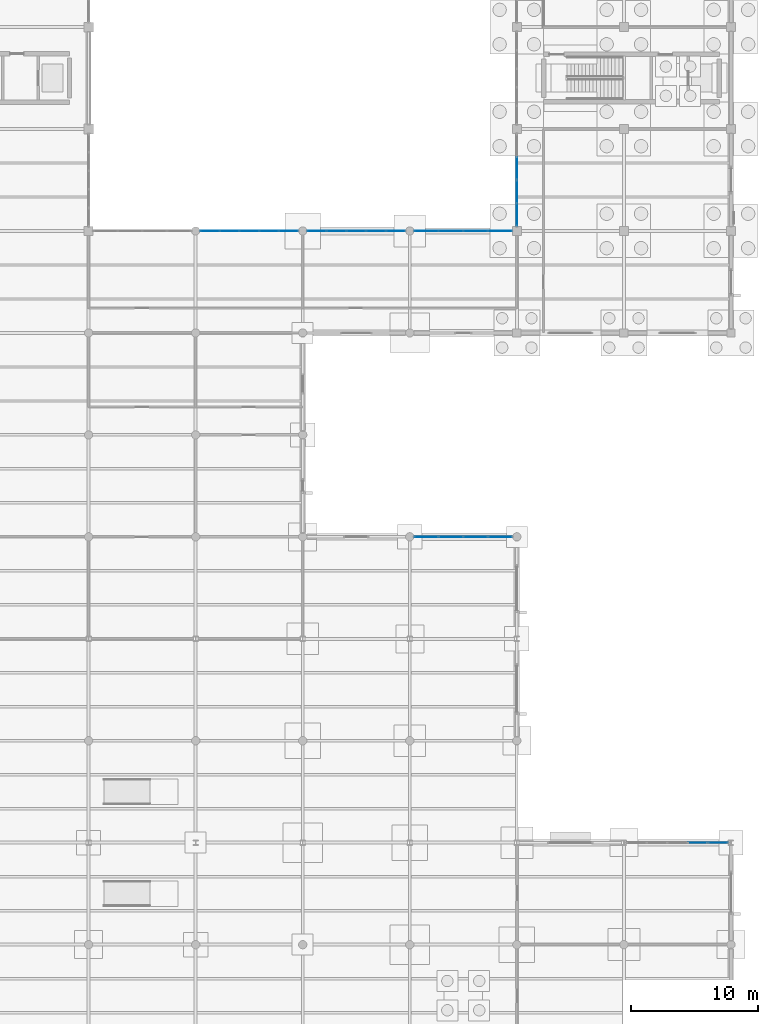
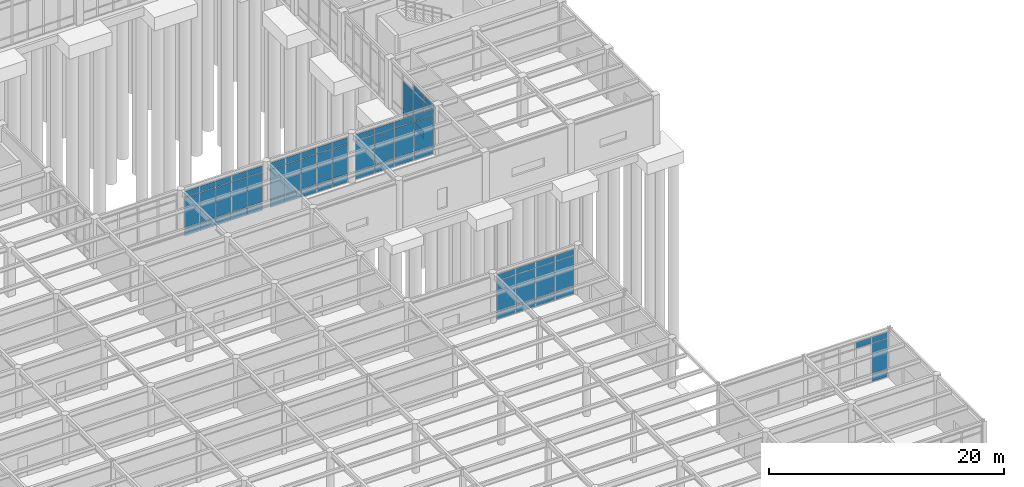
# One storey, part 72 of 138: 66 plates, 6 elements without a shape of their own.
"""IFC4 building model written with IfcOpenShell, lengths in metres."""

from ifc_helpers import new_model, si_unit, direction, frame, origin, origin_2d, place, context, subcontext, project, spatial, rectangle, extrude, material, layer, layer_set, type_object, element, aggregate, save


model = new_model("IFC4")

# Units and contexts
model_context = context("Model", 3, precision=1e-05, world=origin(), true_north=direction((0.0, 1.0)))
body_context = subcontext(model_context, "Body", "Model", "MODEL_VIEW")
ifc_project = project(units=[si_unit("LENGTHUNIT", "METRE"), si_unit("AREAUNIT", "SQUARE_METRE"), si_unit("VOLUMEUNIT", "CUBIC_METRE"), si_unit("PLANEANGLEUNIT", "RADIAN"), si_unit("MASSUNIT", "GRAM", prefix="KILO")], contexts=[model_context])

# Site, building, storey
site_placement = place(None, origin())
site = spatial("IfcSite", under=ifc_project, at=site_placement, CompositionType="ELEMENT")
building_placement = place(site_placement, origin())
building = spatial("IfcBuilding", under=site, at=building_placement, Name="Kranzveld Transit Interchange", CompositionType="ELEMENT")
storey_placement = place(building_placement, origin())
storey = spatial("IfcBuildingStorey", under=building, at=storey_placement, Name="L00", CompositionType="ELEMENT", Elevation=0.0)

# Curtain wall, plates
ifc_material_1 = material(Name="Bronze-anodised thermally broken aluminium", Category="aluminium")
ifc_layer_1 = layer(ifc_material_1, 0.1650390625)
ifc_layer_set_1 = layer_set([ifc_layer_1], Name="Bronze-anodised thermally broken aluminium")
curtain_wall_type_1 = type_object("IfcCurtainWallType", Name="Sunny Court Arcade Curtain Wall CW-2", PredefinedType="USERDEFINED", material=ifc_layer_set_1)
curtain_wall_1_placement = place(storey_placement, origin())
curtain_wall_1 = element("IfcCurtainWall", 1, at=curtain_wall_1_placement, inside=storey, type_object=curtain_wall_type_1, Name="L00 Curtain Wall 20/C-21/C", ObjectType="CURTAIN WALL", PredefinedType="USERDEFINED")
ifc_material_2 = material(Name="Solar-control double glazing", Category="glass")
ifc_layer_2 = layer(ifc_material_2, 0.02392578125)
ifc_layer_set_2 = layer_set([ifc_layer_2], Name="Solar-control double glazing")
plate_type_1 = type_object("IfcPlateType", Name="Curtain Panel Clear Glazing 24", PredefinedType="CURTAIN_PANEL", material=ifc_layer_set_2)
plate_1_placement = place(storey_placement, frame((165.400146484375, 16.0, 4.0703125), z_axis=(0.0, 0.0, 1.0), x_axis=(1.0, 0.0, 0.0)))
plate_1 = element("IfcPlate", 2, at=plate_1_placement, type_object=plate_type_1, Name="CW-2 panel 4.3", PredefinedType="CURTAIN_PANEL", context=body_context, shape_type="SweptSolid", body=[
    extrude(rectangle(XDim=1.53515625, YDim=0.02392578125, at=origin_2d()), origin(), (0.0, 0.0, 1.0), 0.610107421875),
])
plate_2_placement = place(storey_placement, frame((166.984130859375, 16.0, 0.06005859375), z_axis=(0.0, 0.0, 1.0), x_axis=(1.0, 0.0, 0.0)))
plate_2 = element("IfcPlate", 3, at=plate_2_placement, type_object=plate_type_1, Name="CW-2 panel 5.1", PredefinedType="CURTAIN_PANEL", context=body_context, shape_type="SweptSolid", body=[
    extrude(rectangle(XDim=1.502685546875, YDim=0.02392578125, at=origin_2d()), origin(), (0.0, 0.0, 1.0), 0.81005859375),
])
plate_3_placement = place(storey_placement, frame((166.984130859375, 16.0, 0.929931640625), z_axis=(0.0, 0.0, 1.0), x_axis=(1.0, 0.0, 0.0)))
plate_3 = element("IfcPlate", 4, at=plate_3_placement, type_object=plate_type_1, Name="CW-2 panel 5.2", PredefinedType="CURTAIN_PANEL", context=body_context, shape_type="SweptSolid", body=[
    extrude(rectangle(XDim=1.502685546875, YDim=0.02392578125, at=origin_2d()), origin(), (0.0, 0.0, 1.0), 3.08056640625),
])
plate_4_placement = place(storey_placement, frame((166.984130859375, 16.0, 4.0703125), z_axis=(0.0, 0.0, 1.0), x_axis=(1.0, 0.0, 0.0)))
plate_4 = element("IfcPlate", 5, at=plate_4_placement, type_object=plate_type_1, Name="CW-2 panel 5.3", PredefinedType="CURTAIN_PANEL", context=body_context, shape_type="SweptSolid", body=[
    extrude(rectangle(XDim=1.502685546875, YDim=0.02392578125, at=origin_2d()), origin(), (0.0, 0.0, 1.0), 0.610107421875),
])
aggregate(curtain_wall_1, [plate_1, plate_2, plate_3, plate_4])

ifc_material_3 = material(Name="Bronze-anodised thermally broken aluminium", Category="aluminium")
ifc_layer_3 = layer(ifc_material_3, 0.179931640625)
ifc_layer_set_3 = layer_set([ifc_layer_3], Name="Bronze-anodised thermally broken aluminium")
curtain_wall_type_2 = type_object("IfcCurtainWallType", Name="Concourse Unitised Curtain Wall CW-1", PredefinedType="USERDEFINED", material=ifc_layer_set_3)
curtain_wall_2_placement = place(storey_placement, origin())
curtain_wall_2 = element("IfcCurtainWall", 6, at=curtain_wall_2_placement, inside=storey, type_object=curtain_wall_type_2, Name="L00 Curtain Wall 18/F-19/F", ObjectType="CURTAIN WALL", PredefinedType="USERDEFINED")
ifc_material_4 = material(Name="Solar-control double glazing", Category="glass")
ifc_layer_4 = layer(ifc_material_4, 0.028076171875)
ifc_layer_set_4 = layer_set([ifc_layer_4], Name="Solar-control double glazing")
plate_type_2 = type_object("IfcPlateType", Name="Curtain Panel Double Glazing 28", PredefinedType="CURTAIN_PANEL", material=ifc_layer_set_4)
plate_5_placement = place(storey_placement, frame((144.110107421875, 40.0, 0.06494140625), z_axis=(0.0, 0.0, 1.0), x_axis=(1.0, 0.0, 0.0)))
plate_5 = element("IfcPlate", 7, at=plate_5_placement, type_object=plate_type_2, Name="CW-1 panel 1.1", PredefinedType="CURTAIN_PANEL", context=body_context, shape_type="SweptSolid", body=[
    extrude(rectangle(XDim=1.840087890625, YDim=0.028076171875, at=origin_2d()), origin(), (0.0, 0.0, 1.0), 0.802490234375),
])
plate_6_placement = place(storey_placement, frame((144.110107421875, 40.0, 0.932373046875), z_axis=(0.0, 0.0, 1.0), x_axis=(1.0, 0.0, 0.0)))
plate_6 = element("IfcPlate", 8, at=plate_6_placement, type_object=plate_type_2, Name="CW-1 panel 1.2", PredefinedType="CURTAIN_PANEL", context=body_context, shape_type="SweptSolid", body=[
    extrude(rectangle(XDim=1.840087890625, YDim=0.028076171875, at=origin_2d()), origin(), (0.0, 0.0, 1.0), 3.07568359375),
])
plate_7_placement = place(storey_placement, frame((144.110107421875, 40.0, 4.072998046875), z_axis=(0.0, 0.0, 1.0), x_axis=(1.0, 0.0, 0.0)))
plate_7 = element("IfcPlate", 9, at=plate_7_placement, type_object=plate_type_2, Name="CW-1 panel 1.3", PredefinedType="CURTAIN_PANEL", context=body_context, shape_type="SweptSolid", body=[
    extrude(rectangle(XDim=1.840087890625, YDim=0.028076171875, at=origin_2d()), origin(), (0.0, 0.0, 1.0), 0.6025390625),
])
plate_8_placement = place(storey_placement, frame((146.03125, 40.0, 0.06494140625), z_axis=(0.0, 0.0, 1.0), x_axis=(1.0, 0.0, 0.0)))
plate_8 = element("IfcPlate", 10, at=plate_8_placement, type_object=plate_type_2, Name="CW-1 panel 2.1", PredefinedType="CURTAIN_PANEL", context=body_context, shape_type="SweptSolid", body=[
    extrude(rectangle(XDim=1.87255859375, YDim=0.028076171875, at=origin_2d()), origin(), (0.0, 0.0, 1.0), 0.802490234375),
])
plate_9_placement = place(storey_placement, frame((146.03125, 40.0, 0.932373046875), z_axis=(0.0, 0.0, 1.0), x_axis=(1.0, 0.0, 0.0)))
plate_9 = element("IfcPlate", 11, at=plate_9_placement, type_object=plate_type_2, Name="CW-1 panel 2.2", PredefinedType="CURTAIN_PANEL", context=body_context, shape_type="SweptSolid", body=[
    extrude(rectangle(XDim=1.87255859375, YDim=0.028076171875, at=origin_2d()), origin(), (0.0, 0.0, 1.0), 3.07568359375),
])
plate_10_placement = place(storey_placement, frame((146.03125, 40.0, 4.072998046875), z_axis=(0.0, 0.0, 1.0), x_axis=(1.0, 0.0, 0.0)))
plate_10 = element("IfcPlate", 12, at=plate_10_placement, type_object=plate_type_2, Name="CW-1 panel 2.3", PredefinedType="CURTAIN_PANEL", context=body_context, shape_type="SweptSolid", body=[
    extrude(rectangle(XDim=1.87255859375, YDim=0.028076171875, at=origin_2d()), origin(), (0.0, 0.0, 1.0), 0.6025390625),
])
plate_11_placement = place(storey_placement, frame((147.96875, 40.0, 0.06494140625), z_axis=(0.0, 0.0, 1.0), x_axis=(1.0, 0.0, 0.0)))
plate_11 = element("IfcPlate", 13, at=plate_11_placement, type_object=plate_type_2, Name="CW-1 panel 3.1", PredefinedType="CURTAIN_PANEL", context=body_context, shape_type="SweptSolid", body=[
    extrude(rectangle(XDim=1.87255859375, YDim=0.028076171875, at=origin_2d()), origin(), (0.0, 0.0, 1.0), 0.802490234375),
])
plate_12_placement = place(storey_placement, frame((147.96875, 40.0, 0.932373046875), z_axis=(0.0, 0.0, 1.0), x_axis=(1.0, 0.0, 0.0)))
plate_12 = element("IfcPlate", 14, at=plate_12_placement, type_object=plate_type_2, Name="CW-1 panel 3.2", PredefinedType="CURTAIN_PANEL", context=body_context, shape_type="SweptSolid", body=[
    extrude(rectangle(XDim=1.87255859375, YDim=0.028076171875, at=origin_2d()), origin(), (0.0, 0.0, 1.0), 3.07568359375),
])
plate_13_placement = place(storey_placement, frame((147.96875, 40.0, 4.072998046875), z_axis=(0.0, 0.0, 1.0), x_axis=(1.0, 0.0, 0.0)))
plate_13 = element("IfcPlate", 15, at=plate_13_placement, type_object=plate_type_2, Name="CW-1 panel 3.3", PredefinedType="CURTAIN_PANEL", context=body_context, shape_type="SweptSolid", body=[
    extrude(rectangle(XDim=1.87255859375, YDim=0.028076171875, at=origin_2d()), origin(), (0.0, 0.0, 1.0), 0.6025390625),
])
plate_14_placement = place(storey_placement, frame((149.889892578125, 40.0, 0.06494140625), z_axis=(0.0, 0.0, 1.0), x_axis=(1.0, 0.0, 0.0)))
plate_14 = element("IfcPlate", 16, at=plate_14_placement, type_object=plate_type_2, Name="CW-1 panel 4.1", PredefinedType="CURTAIN_PANEL", context=body_context, shape_type="SweptSolid", body=[
    extrude(rectangle(XDim=1.840087890625, YDim=0.028076171875, at=origin_2d()), origin(), (0.0, 0.0, 1.0), 0.802490234375),
])
plate_15_placement = place(storey_placement, frame((149.889892578125, 40.0, 0.932373046875), z_axis=(0.0, 0.0, 1.0), x_axis=(1.0, 0.0, 0.0)))
plate_15 = element("IfcPlate", 17, at=plate_15_placement, type_object=plate_type_2, Name="CW-1 panel 4.2", PredefinedType="CURTAIN_PANEL", context=body_context, shape_type="SweptSolid", body=[
    extrude(rectangle(XDim=1.840087890625, YDim=0.028076171875, at=origin_2d()), origin(), (0.0, 0.0, 1.0), 3.07568359375),
])
plate_16_placement = place(storey_placement, frame((149.889892578125, 40.0, 4.072998046875), z_axis=(0.0, 0.0, 1.0), x_axis=(1.0, 0.0, 0.0)))
plate_16 = element("IfcPlate", 18, at=plate_16_placement, type_object=plate_type_2, Name="CW-1 panel 4.3", PredefinedType="CURTAIN_PANEL", context=body_context, shape_type="SweptSolid", body=[
    extrude(rectangle(XDim=1.840087890625, YDim=0.028076171875, at=origin_2d()), origin(), (0.0, 0.0, 1.0), 0.6025390625),
])
aggregate(curtain_wall_2, [plate_5, plate_6, plate_7, plate_8, plate_9, plate_10, plate_11, plate_12, plate_13, plate_14, plate_15, plate_16])

curtain_wall_3_placement = place(storey_placement, origin())
curtain_wall_3 = element("IfcCurtainWall", 19, at=curtain_wall_3_placement, inside=storey, type_object=curtain_wall_type_2, Name="L00 Curtain Wall 19/J-19/K", ObjectType="CURTAIN WALL", PredefinedType="USERDEFINED")
plate_17_placement = place(storey_placement, frame((151.199951171875, 65.27880859375, 0.06494140625), z_axis=(0.0, 0.0, 1.0), x_axis=(0.0, 1.0, 0.0)))
plate_17 = element("IfcPlate", 20, at=plate_17_placement, type_object=plate_type_2, Name="CW-1 panel 1.1", PredefinedType="CURTAIN_PANEL", context=body_context, shape_type="SweptSolid", body=[
    extrude(rectangle(XDim=1.7275390625, YDim=0.028076171875, at=origin_2d()), origin(), (0.0, 0.0, 1.0), 0.802490234375),
])
plate_18_placement = place(storey_placement, frame((151.199951171875, 65.27880859375, 0.932373046875), z_axis=(0.0, 0.0, 1.0), x_axis=(0.0, 1.0, 0.0)))
plate_18 = element("IfcPlate", 21, at=plate_18_placement, type_object=plate_type_2, Name="CW-1 panel 1.2", PredefinedType="CURTAIN_PANEL", context=body_context, shape_type="SweptSolid", body=[
    extrude(rectangle(XDim=1.7275390625, YDim=0.028076171875, at=origin_2d()), origin(), (0.0, 0.0, 1.0), 3.08251953125),
])
plate_19_placement = place(storey_placement, frame((151.199951171875, 65.27880859375, 4.079833984375), z_axis=(0.0, 0.0, 1.0), x_axis=(0.0, 1.0, 0.0)))
plate_19 = element("IfcPlate", 22, at=plate_19_placement, type_object=plate_type_2, Name="CW-1 panel 1.3", PredefinedType="CURTAIN_PANEL", context=body_context, shape_type="SweptSolid", body=[
    extrude(rectangle(XDim=1.7275390625, YDim=0.028076171875, at=origin_2d()), origin(), (0.0, 0.0, 1.0), 0.6025390625),
])
plate_20_placement = place(storey_placement, frame((151.199951171875, 67.08740234375, 0.06494140625), z_axis=(0.0, 0.0, 1.0), x_axis=(0.0, 1.0, 0.0)))
plate_20 = element("IfcPlate", 23, at=plate_20_placement, type_object=plate_type_2, Name="CW-1 panel 2.1", PredefinedType="CURTAIN_PANEL", context=body_context, shape_type="SweptSolid", body=[
    extrude(rectangle(XDim=1.760009765625, YDim=0.028076171875, at=origin_2d()), origin(), (0.0, 0.0, 1.0), 0.802490234375),
])
plate_21_placement = place(storey_placement, frame((151.199951171875, 67.08740234375, 0.932373046875), z_axis=(0.0, 0.0, 1.0), x_axis=(0.0, 1.0, 0.0)))
plate_21 = element("IfcPlate", 24, at=plate_21_placement, type_object=plate_type_2, Name="CW-1 panel 2.2", PredefinedType="CURTAIN_PANEL", context=body_context, shape_type="SweptSolid", body=[
    extrude(rectangle(XDim=1.760009765625, YDim=0.028076171875, at=origin_2d()), origin(), (0.0, 0.0, 1.0), 3.08251953125),
])
plate_22_placement = place(storey_placement, frame((151.199951171875, 67.08740234375, 4.079833984375), z_axis=(0.0, 0.0, 1.0), x_axis=(0.0, 1.0, 0.0)))
plate_22 = element("IfcPlate", 25, at=plate_22_placement, type_object=plate_type_2, Name="CW-1 panel 2.3", PredefinedType="CURTAIN_PANEL", context=body_context, shape_type="SweptSolid", body=[
    extrude(rectangle(XDim=1.760009765625, YDim=0.028076171875, at=origin_2d()), origin(), (0.0, 0.0, 1.0), 0.6025390625),
])
plate_23_placement = place(storey_placement, frame((151.199951171875, 68.91259765625, 0.06494140625), z_axis=(0.0, 0.0, 1.0), x_axis=(0.0, 1.0, 0.0)))
plate_23 = element("IfcPlate", 26, at=plate_23_placement, type_object=plate_type_2, Name="CW-1 panel 3.1", PredefinedType="CURTAIN_PANEL", context=body_context, shape_type="SweptSolid", body=[
    extrude(rectangle(XDim=1.760009765625, YDim=0.028076171875, at=origin_2d()), origin(), (0.0, 0.0, 1.0), 0.802490234375),
])
plate_24_placement = place(storey_placement, frame((151.199951171875, 68.91259765625, 0.932373046875), z_axis=(0.0, 0.0, 1.0), x_axis=(0.0, 1.0, 0.0)))
plate_24 = element("IfcPlate", 27, at=plate_24_placement, type_object=plate_type_2, Name="CW-1 panel 3.2", PredefinedType="CURTAIN_PANEL", context=body_context, shape_type="SweptSolid", body=[
    extrude(rectangle(XDim=1.760009765625, YDim=0.028076171875, at=origin_2d()), origin(), (0.0, 0.0, 1.0), 3.08251953125),
])
aggregate(curtain_wall_3, [plate_17, plate_18, plate_19, plate_20, plate_21, plate_22, plate_23, plate_24])

curtain_wall_4_placement = place(storey_placement, origin())
curtain_wall_4 = element("IfcCurtainWall", 28, at=curtain_wall_4_placement, inside=storey, type_object=curtain_wall_type_1, Name="L00 Curtain Wall 17/J-18/J", ObjectType="CURTAIN WALL", PredefinedType="USERDEFINED")
ifc_material_5 = material(Name="Pretoria red-purple clinker clay face brick, 35 MPa", Category="masonry")
ifc_layer_5 = layer(ifc_material_5, 0.050048828125)
ifc_layer_set_5 = layer_set([ifc_layer_5], Name="Pretoria red-purple clinker clay face brick, 35 MPa")
plate_type_3 = type_object("IfcPlateType", Name="Curtain Spandrel Clinker Tile 50", PredefinedType="CURTAIN_PANEL", material=ifc_layer_set_5)
plate_25_placement = place(storey_placement, frame((135.516357421875, 64.0, 0.06005859375), z_axis=(0.0, 0.0, 1.0), x_axis=(1.0, 0.0, 0.0)))
plate_25 = element("IfcPlate", 29, at=plate_25_placement, type_object=plate_type_3, Name="CW-2 panel 1.1", PredefinedType="CURTAIN_PANEL", context=body_context, shape_type="SweptSolid", body=[
    extrude(rectangle(XDim=1.452392578125, YDim=0.050048828125, at=origin_2d()), origin(), (0.0, 0.0, 1.0), 0.81005859375),
])
plate_26_placement = place(storey_placement, frame((135.516357421875, 64.0, 0.929931640625), z_axis=(0.0, 0.0, 1.0), x_axis=(1.0, 0.0, 0.0)))
plate_26 = element("IfcPlate", 30, at=plate_26_placement, type_object=plate_type_3, Name="CW-2 panel 1.2", PredefinedType="CURTAIN_PANEL", context=body_context, shape_type="SweptSolid", body=[
    extrude(rectangle(XDim=1.452392578125, YDim=0.050048828125, at=origin_2d()), origin(), (0.0, 0.0, 1.0), 3.08056640625),
])
plate_27_placement = place(storey_placement, frame((135.516357421875, 64.0, 4.0703125), z_axis=(0.0, 0.0, 1.0), x_axis=(1.0, 0.0, 0.0)))
plate_27 = element("IfcPlate", 31, at=plate_27_placement, type_object=plate_type_3, Name="CW-2 panel 1.3", PredefinedType="CURTAIN_PANEL", context=body_context, shape_type="SweptSolid", body=[
    extrude(rectangle(XDim=1.452392578125, YDim=0.050048828125, at=origin_2d()), origin(), (0.0, 0.0, 1.0), 0.610107421875),
])
plate_28_placement = place(storey_placement, frame((137.050048828125, 64.0, 0.06005859375), z_axis=(0.0, 0.0, 1.0), x_axis=(1.0, 0.0, 0.0)))
plate_28 = element("IfcPlate", 32, at=plate_28_placement, type_object=plate_type_3, Name="CW-2 panel 2.1", PredefinedType="CURTAIN_PANEL", context=body_context, shape_type="SweptSolid", body=[
    extrude(rectangle(XDim=1.485107421875, YDim=0.050048828125, at=origin_2d()), origin(), (0.0, 0.0, 1.0), 0.81005859375),
])
plate_29_placement = place(storey_placement, frame((137.050048828125, 64.0, 0.929931640625), z_axis=(0.0, 0.0, 1.0), x_axis=(1.0, 0.0, 0.0)))
plate_29 = element("IfcPlate", 33, at=plate_29_placement, type_object=plate_type_3, Name="CW-2 panel 2.2", PredefinedType="CURTAIN_PANEL", context=body_context, shape_type="SweptSolid", body=[
    extrude(rectangle(XDim=1.485107421875, YDim=0.050048828125, at=origin_2d()), origin(), (0.0, 0.0, 1.0), 3.08056640625),
])
plate_30_placement = place(storey_placement, frame((137.050048828125, 64.0, 4.0703125), z_axis=(0.0, 0.0, 1.0), x_axis=(1.0, 0.0, 0.0)))
plate_30 = element("IfcPlate", 34, at=plate_30_placement, type_object=plate_type_3, Name="CW-2 panel 2.3", PredefinedType="CURTAIN_PANEL", context=body_context, shape_type="SweptSolid", body=[
    extrude(rectangle(XDim=1.485107421875, YDim=0.050048828125, at=origin_2d()), origin(), (0.0, 0.0, 1.0), 0.610107421875),
])
plate_31_placement = place(storey_placement, frame((138.60009765625, 64.0, 0.06005859375), z_axis=(0.0, 0.0, 1.0), x_axis=(1.0, 0.0, 0.0)))
plate_31 = element("IfcPlate", 35, at=plate_31_placement, type_object=plate_type_3, Name="CW-2 panel 3.1", PredefinedType="CURTAIN_PANEL", context=body_context, shape_type="SweptSolid", body=[
    extrude(rectangle(XDim=1.485107421875, YDim=0.050048828125, at=origin_2d()), origin(), (0.0, 0.0, 1.0), 0.81005859375),
])
plate_32_placement = place(storey_placement, frame((138.60009765625, 64.0, 0.929931640625), z_axis=(0.0, 0.0, 1.0), x_axis=(1.0, 0.0, 0.0)))
plate_32 = element("IfcPlate", 36, at=plate_32_placement, type_object=plate_type_3, Name="CW-2 panel 3.2", PredefinedType="CURTAIN_PANEL", context=body_context, shape_type="SweptSolid", body=[
    extrude(rectangle(XDim=1.485107421875, YDim=0.050048828125, at=origin_2d()), origin(), (0.0, 0.0, 1.0), 3.08056640625),
])
plate_33_placement = place(storey_placement, frame((138.60009765625, 64.0, 4.0703125), z_axis=(0.0, 0.0, 1.0), x_axis=(1.0, 0.0, 0.0)))
plate_33 = element("IfcPlate", 37, at=plate_33_placement, type_object=plate_type_3, Name="CW-2 panel 3.3", PredefinedType="CURTAIN_PANEL", context=body_context, shape_type="SweptSolid", body=[
    extrude(rectangle(XDim=1.485107421875, YDim=0.050048828125, at=origin_2d()), origin(), (0.0, 0.0, 1.0), 0.610107421875),
])
plate_34_placement = place(storey_placement, frame((140.14990234375, 64.0, 0.06005859375), z_axis=(0.0, 0.0, 1.0), x_axis=(1.0, 0.0, 0.0)))
plate_34 = element("IfcPlate", 38, at=plate_34_placement, type_object=plate_type_3, Name="CW-2 panel 4.1", PredefinedType="CURTAIN_PANEL", context=body_context, shape_type="SweptSolid", body=[
    extrude(rectangle(XDim=1.485107421875, YDim=0.050048828125, at=origin_2d()), origin(), (0.0, 0.0, 1.0), 0.81005859375),
])
plate_35_placement = place(storey_placement, frame((140.14990234375, 64.0, 0.929931640625), z_axis=(0.0, 0.0, 1.0), x_axis=(1.0, 0.0, 0.0)))
plate_35 = element("IfcPlate", 39, at=plate_35_placement, type_object=plate_type_3, Name="CW-2 panel 4.2", PredefinedType="CURTAIN_PANEL", context=body_context, shape_type="SweptSolid", body=[
    extrude(rectangle(XDim=1.485107421875, YDim=0.050048828125, at=origin_2d()), origin(), (0.0, 0.0, 1.0), 3.08056640625),
])
plate_36_placement = place(storey_placement, frame((140.14990234375, 64.0, 4.0703125), z_axis=(0.0, 0.0, 1.0), x_axis=(1.0, 0.0, 0.0)))
plate_36 = element("IfcPlate", 40, at=plate_36_placement, type_object=plate_type_3, Name="CW-2 panel 4.3", PredefinedType="CURTAIN_PANEL", context=body_context, shape_type="SweptSolid", body=[
    extrude(rectangle(XDim=1.485107421875, YDim=0.050048828125, at=origin_2d()), origin(), (0.0, 0.0, 1.0), 0.610107421875),
])
plate_37_placement = place(storey_placement, frame((141.683837890625, 64.0, 0.06005859375), z_axis=(0.0, 0.0, 1.0), x_axis=(1.0, 0.0, 0.0)))
plate_37 = element("IfcPlate", 41, at=plate_37_placement, type_object=plate_type_3, Name="CW-2 panel 5.1", PredefinedType="CURTAIN_PANEL", context=body_context, shape_type="SweptSolid", body=[
    extrude(rectangle(XDim=1.452392578125, YDim=0.050048828125, at=origin_2d()), origin(), (0.0, 0.0, 1.0), 0.81005859375),
])
plate_38_placement = place(storey_placement, frame((141.683837890625, 64.0, 0.929931640625), z_axis=(0.0, 0.0, 1.0), x_axis=(1.0, 0.0, 0.0)))
plate_38 = element("IfcPlate", 42, at=plate_38_placement, type_object=plate_type_3, Name="CW-2 panel 5.2", PredefinedType="CURTAIN_PANEL", context=body_context, shape_type="SweptSolid", body=[
    extrude(rectangle(XDim=1.452392578125, YDim=0.050048828125, at=origin_2d()), origin(), (0.0, 0.0, 1.0), 3.08056640625),
])
plate_39_placement = place(storey_placement, frame((141.683837890625, 64.0, 4.0703125), z_axis=(0.0, 0.0, 1.0), x_axis=(1.0, 0.0, 0.0)))
plate_39 = element("IfcPlate", 43, at=plate_39_placement, type_object=plate_type_3, Name="CW-2 panel 5.3", PredefinedType="CURTAIN_PANEL", context=body_context, shape_type="SweptSolid", body=[
    extrude(rectangle(XDim=1.452392578125, YDim=0.050048828125, at=origin_2d()), origin(), (0.0, 0.0, 1.0), 0.610107421875),
])
aggregate(curtain_wall_4, [plate_25, plate_26, plate_27, plate_28, plate_29, plate_30, plate_31, plate_32, plate_33, plate_34, plate_35, plate_36, plate_37, plate_38, plate_39])

ifc_material_6 = material(Name="Bronze-anodised thermally broken aluminium", Category="aluminium")
ifc_layer_6 = layer(ifc_material_6, 0.159912109375)
ifc_layer_set_6 = layer_set([ifc_layer_6], Name="Bronze-anodised thermally broken aluminium")
curtain_wall_type_3 = type_object("IfcCurtainWallType", Name="Bus Boarding Glazed Screen CW-3", PredefinedType="USERDEFINED", material=ifc_layer_set_6)
curtain_wall_5_placement = place(storey_placement, origin())
curtain_wall_5 = element("IfcCurtainWall", 44, at=curtain_wall_5_placement, inside=storey, type_object=curtain_wall_type_3, Name="L00 Curtain Wall 18/J-19/J", ObjectType="CURTAIN WALL", PredefinedType="USERDEFINED")
ifc_material_7 = material(Name="Bronze-anodised thermally broken aluminium", Category="aluminium")
ifc_layer_7 = layer(ifc_material_7, 0.053955078125)
ifc_layer_set_7 = layer_set([ifc_layer_7], Name="Bronze-anodised thermally broken aluminium")
plate_type_4 = type_object("IfcPlateType", Name="Curtain Spandrel Insulated Alu 54", PredefinedType="CURTAIN_PANEL", material=ifc_layer_set_7)
plate_40_placement = place(storey_placement, frame((144.105712890625, 64.0, 0.06494140625), z_axis=(0.0, 0.0, 1.0), x_axis=(1.0, 0.0, 0.0)))
plate_40 = element("IfcPlate", 45, at=plate_40_placement, type_object=plate_type_4, Name="CW-3 panel 1.1", PredefinedType="CURTAIN_PANEL", context=body_context, shape_type="SweptSolid", body=[
    extrude(rectangle(XDim=1.84130859375, YDim=0.053955078125, at=origin_2d()), origin(), (0.0, 0.0, 1.0), 0.802490234375),
])
plate_41_placement = place(storey_placement, frame((144.105712890625, 64.0, 0.932373046875), z_axis=(0.0, 0.0, 1.0), x_axis=(1.0, 0.0, 0.0)))
plate_41 = element("IfcPlate", 46, at=plate_41_placement, type_object=plate_type_4, Name="CW-3 panel 1.2", PredefinedType="CURTAIN_PANEL", context=body_context, shape_type="SweptSolid", body=[
    extrude(rectangle(XDim=1.84130859375, YDim=0.053955078125, at=origin_2d()), origin(), (0.0, 0.0, 1.0), 3.07568359375),
])
plate_42_placement = place(storey_placement, frame((144.105712890625, 64.0, 4.072998046875), z_axis=(0.0, 0.0, 1.0), x_axis=(1.0, 0.0, 0.0)))
plate_42 = element("IfcPlate", 47, at=plate_42_placement, type_object=plate_type_4, Name="CW-3 panel 1.3", PredefinedType="CURTAIN_PANEL", context=body_context, shape_type="SweptSolid", body=[
    extrude(rectangle(XDim=1.84130859375, YDim=0.053955078125, at=origin_2d()), origin(), (0.0, 0.0, 1.0), 0.6025390625),
])
plate_43_placement = place(storey_placement, frame((146.02197265625, 64.0, 0.06494140625), z_axis=(0.0, 0.0, 1.0), x_axis=(1.0, 0.0, 0.0)))
plate_43 = element("IfcPlate", 48, at=plate_43_placement, type_object=plate_type_4, Name="CW-3 panel 2.1", PredefinedType="CURTAIN_PANEL", context=body_context, shape_type="SweptSolid", body=[
    extrude(rectangle(XDim=1.871337890625, YDim=0.053955078125, at=origin_2d()), origin(), (0.0, 0.0, 1.0), 0.802490234375),
])
plate_44_placement = place(storey_placement, frame((146.02197265625, 64.0, 0.932373046875), z_axis=(0.0, 0.0, 1.0), x_axis=(1.0, 0.0, 0.0)))
plate_44 = element("IfcPlate", 49, at=plate_44_placement, type_object=plate_type_4, Name="CW-3 panel 2.2", PredefinedType="CURTAIN_PANEL", context=body_context, shape_type="SweptSolid", body=[
    extrude(rectangle(XDim=1.871337890625, YDim=0.053955078125, at=origin_2d()), origin(), (0.0, 0.0, 1.0), 3.07568359375),
])
plate_45_placement = place(storey_placement, frame((146.02197265625, 64.0, 4.072998046875), z_axis=(0.0, 0.0, 1.0), x_axis=(1.0, 0.0, 0.0)))
plate_45 = element("IfcPlate", 50, at=plate_45_placement, type_object=plate_type_4, Name="CW-3 panel 2.3", PredefinedType="CURTAIN_PANEL", context=body_context, shape_type="SweptSolid", body=[
    extrude(rectangle(XDim=1.871337890625, YDim=0.053955078125, at=origin_2d()), origin(), (0.0, 0.0, 1.0), 0.6025390625),
])
plate_46_placement = place(storey_placement, frame((147.953125, 64.0, 0.06494140625), z_axis=(0.0, 0.0, 1.0), x_axis=(1.0, 0.0, 0.0)))
plate_46 = element("IfcPlate", 51, at=plate_46_placement, type_object=plate_type_4, Name="CW-3 panel 3.1", PredefinedType="CURTAIN_PANEL", context=body_context, shape_type="SweptSolid", body=[
    extrude(rectangle(XDim=1.871337890625, YDim=0.053955078125, at=origin_2d()), origin(), (0.0, 0.0, 1.0), 0.802490234375),
])
plate_47_placement = place(storey_placement, frame((147.953125, 64.0, 0.932373046875), z_axis=(0.0, 0.0, 1.0), x_axis=(1.0, 0.0, 0.0)))
plate_47 = element("IfcPlate", 52, at=plate_47_placement, type_object=plate_type_4, Name="CW-3 panel 3.2", PredefinedType="CURTAIN_PANEL", context=body_context, shape_type="SweptSolid", body=[
    extrude(rectangle(XDim=1.871337890625, YDim=0.053955078125, at=origin_2d()), origin(), (0.0, 0.0, 1.0), 3.07568359375),
])
plate_48_placement = place(storey_placement, frame((147.953125, 64.0, 4.072998046875), z_axis=(0.0, 0.0, 1.0), x_axis=(1.0, 0.0, 0.0)))
plate_48 = element("IfcPlate", 53, at=plate_48_placement, type_object=plate_type_4, Name="CW-3 panel 3.3", PredefinedType="CURTAIN_PANEL", context=body_context, shape_type="SweptSolid", body=[
    extrude(rectangle(XDim=1.871337890625, YDim=0.053955078125, at=origin_2d()), origin(), (0.0, 0.0, 1.0), 0.6025390625),
])
plate_49_placement = place(storey_placement, frame((149.869384765625, 64.0, 0.06494140625), z_axis=(0.0, 0.0, 1.0), x_axis=(1.0, 0.0, 0.0)))
plate_49 = element("IfcPlate", 54, at=plate_49_placement, type_object=plate_type_4, Name="CW-3 panel 4.1", PredefinedType="CURTAIN_PANEL", context=body_context, shape_type="SweptSolid", body=[
    extrude(rectangle(XDim=1.84130859375, YDim=0.053955078125, at=origin_2d()), origin(), (0.0, 0.0, 1.0), 0.802490234375),
])
plate_50_placement = place(storey_placement, frame((149.869384765625, 64.0, 0.932373046875), z_axis=(0.0, 0.0, 1.0), x_axis=(1.0, 0.0, 0.0)))
plate_50 = element("IfcPlate", 55, at=plate_50_placement, type_object=plate_type_4, Name="CW-3 panel 4.2", PredefinedType="CURTAIN_PANEL", context=body_context, shape_type="SweptSolid", body=[
    extrude(rectangle(XDim=1.84130859375, YDim=0.053955078125, at=origin_2d()), origin(), (0.0, 0.0, 1.0), 3.07568359375),
])
plate_51_placement = place(storey_placement, frame((149.869384765625, 64.0, 4.072998046875), z_axis=(0.0, 0.0, 1.0), x_axis=(1.0, 0.0, 0.0)))
plate_51 = element("IfcPlate", 56, at=plate_51_placement, type_object=plate_type_4, Name="CW-3 panel 4.3", PredefinedType="CURTAIN_PANEL", context=body_context, shape_type="SweptSolid", body=[
    extrude(rectangle(XDim=1.84130859375, YDim=0.053955078125, at=origin_2d()), origin(), (0.0, 0.0, 1.0), 0.6025390625),
])
aggregate(curtain_wall_5, [plate_40, plate_41, plate_42, plate_43, plate_44, plate_45, plate_46, plate_47, plate_48, plate_49, plate_50, plate_51])

ifc_material_8 = material(Name="Bronze-anodised thermally broken aluminium", Category="aluminium")
ifc_layer_8 = layer(ifc_material_8, 0.155029296875)
ifc_layer_set_8 = layer_set([ifc_layer_8], Name="Bronze-anodised thermally broken aluminium")
curtain_wall_type_4 = type_object("IfcCurtainWallType", Name="Operations Courtyard Glazed Screen CW-6", PredefinedType="USERDEFINED", material=ifc_layer_set_8)
curtain_wall_6_placement = place(storey_placement, origin())
curtain_wall_6 = element("IfcCurtainWall", 57, at=curtain_wall_6_placement, inside=storey, type_object=curtain_wall_type_4, Name="L00 Curtain Wall 16/J-17/J", ObjectType="CURTAIN WALL", PredefinedType="USERDEFINED")
ifc_material_9 = material(Name="Ochre Pretoria sandstone cladding, 45 MPa", Category="masonry")
ifc_layer_9 = layer(ifc_material_9, 0.0458984375)
ifc_layer_set_9 = layer_set([ifc_layer_9], Name="Ochre Pretoria sandstone cladding, 45 MPa")
plate_type_5 = type_object("IfcPlateType", Name="Curtain Spandrel Sandstone 46", PredefinedType="CURTAIN_PANEL", material=ifc_layer_set_9)
plate_52_placement = place(storey_placement, frame((127.1162109375, 64.0, 0.06005859375), z_axis=(0.0, 0.0, 1.0), x_axis=(1.0, 0.0, 0.0)))
plate_52 = element("IfcPlate", 58, at=plate_52_placement, type_object=plate_type_5, Name="CW-6 panel 1.1", PredefinedType="CURTAIN_PANEL", context=body_context, shape_type="SweptSolid", body=[
    extrude(rectangle(XDim=1.452392578125, YDim=0.0458984375, at=origin_2d()), origin(), (0.0, 0.0, 1.0), 0.81005859375),
])
plate_53_placement = place(storey_placement, frame((127.1162109375, 64.0, 0.929931640625), z_axis=(0.0, 0.0, 1.0), x_axis=(1.0, 0.0, 0.0)))
plate_53 = element("IfcPlate", 59, at=plate_53_placement, type_object=plate_type_5, Name="CW-6 panel 1.2", PredefinedType="CURTAIN_PANEL", context=body_context, shape_type="SweptSolid", body=[
    extrude(rectangle(XDim=1.452392578125, YDim=0.0458984375, at=origin_2d()), origin(), (0.0, 0.0, 1.0), 3.08056640625),
])
plate_54_placement = place(storey_placement, frame((127.1162109375, 64.0, 4.0703125), z_axis=(0.0, 0.0, 1.0), x_axis=(1.0, 0.0, 0.0)))
plate_54 = element("IfcPlate", 60, at=plate_54_placement, type_object=plate_type_5, Name="CW-6 panel 1.3", PredefinedType="CURTAIN_PANEL", context=body_context, shape_type="SweptSolid", body=[
    extrude(rectangle(XDim=1.452392578125, YDim=0.0458984375, at=origin_2d()), origin(), (0.0, 0.0, 1.0), 0.610107421875),
])
plate_55_placement = place(storey_placement, frame((128.64990234375, 64.0, 0.06005859375), z_axis=(0.0, 0.0, 1.0), x_axis=(1.0, 0.0, 0.0)))
plate_55 = element("IfcPlate", 61, at=plate_55_placement, type_object=plate_type_5, Name="CW-6 panel 2.1", PredefinedType="CURTAIN_PANEL", context=body_context, shape_type="SweptSolid", body=[
    extrude(rectangle(XDim=1.485107421875, YDim=0.0458984375, at=origin_2d()), origin(), (0.0, 0.0, 1.0), 0.81005859375),
])
plate_56_placement = place(storey_placement, frame((128.64990234375, 64.0, 0.929931640625), z_axis=(0.0, 0.0, 1.0), x_axis=(1.0, 0.0, 0.0)))
plate_56 = element("IfcPlate", 62, at=plate_56_placement, type_object=plate_type_5, Name="CW-6 panel 2.2", PredefinedType="CURTAIN_PANEL", context=body_context, shape_type="SweptSolid", body=[
    extrude(rectangle(XDim=1.485107421875, YDim=0.0458984375, at=origin_2d()), origin(), (0.0, 0.0, 1.0), 3.08056640625),
])
plate_57_placement = place(storey_placement, frame((128.64990234375, 64.0, 4.0703125), z_axis=(0.0, 0.0, 1.0), x_axis=(1.0, 0.0, 0.0)))
plate_57 = element("IfcPlate", 63, at=plate_57_placement, type_object=plate_type_5, Name="CW-6 panel 2.3", PredefinedType="CURTAIN_PANEL", context=body_context, shape_type="SweptSolid", body=[
    extrude(rectangle(XDim=1.485107421875, YDim=0.0458984375, at=origin_2d()), origin(), (0.0, 0.0, 1.0), 0.610107421875),
])
plate_58_placement = place(storey_placement, frame((130.199951171875, 64.0, 0.06005859375), z_axis=(0.0, 0.0, 1.0), x_axis=(1.0, 0.0, 0.0)))
plate_58 = element("IfcPlate", 64, at=plate_58_placement, type_object=plate_type_5, Name="CW-6 panel 3.1", PredefinedType="CURTAIN_PANEL", context=body_context, shape_type="SweptSolid", body=[
    extrude(rectangle(XDim=1.485107421875, YDim=0.0458984375, at=origin_2d()), origin(), (0.0, 0.0, 1.0), 0.81005859375),
])
plate_59_placement = place(storey_placement, frame((130.199951171875, 64.0, 0.929931640625), z_axis=(0.0, 0.0, 1.0), x_axis=(1.0, 0.0, 0.0)))
plate_59 = element("IfcPlate", 65, at=plate_59_placement, type_object=plate_type_5, Name="CW-6 panel 3.2", PredefinedType="CURTAIN_PANEL", context=body_context, shape_type="SweptSolid", body=[
    extrude(rectangle(XDim=1.485107421875, YDim=0.0458984375, at=origin_2d()), origin(), (0.0, 0.0, 1.0), 3.08056640625),
])
plate_60_placement = place(storey_placement, frame((130.199951171875, 64.0, 4.0703125), z_axis=(0.0, 0.0, 1.0), x_axis=(1.0, 0.0, 0.0)))
plate_60 = element("IfcPlate", 66, at=plate_60_placement, type_object=plate_type_5, Name="CW-6 panel 3.3", PredefinedType="CURTAIN_PANEL", context=body_context, shape_type="SweptSolid", body=[
    extrude(rectangle(XDim=1.485107421875, YDim=0.0458984375, at=origin_2d()), origin(), (0.0, 0.0, 1.0), 0.610107421875),
])
plate_61_placement = place(storey_placement, frame((131.75, 64.0, 0.06005859375), z_axis=(0.0, 0.0, 1.0), x_axis=(1.0, 0.0, 0.0)))
plate_61 = element("IfcPlate", 67, at=plate_61_placement, type_object=plate_type_5, Name="CW-6 panel 4.1", PredefinedType="CURTAIN_PANEL", context=body_context, shape_type="SweptSolid", body=[
    extrude(rectangle(XDim=1.485107421875, YDim=0.0458984375, at=origin_2d()), origin(), (0.0, 0.0, 1.0), 0.81005859375),
])
plate_62_placement = place(storey_placement, frame((131.75, 64.0, 0.929931640625), z_axis=(0.0, 0.0, 1.0), x_axis=(1.0, 0.0, 0.0)))
plate_62 = element("IfcPlate", 68, at=plate_62_placement, type_object=plate_type_5, Name="CW-6 panel 4.2", PredefinedType="CURTAIN_PANEL", context=body_context, shape_type="SweptSolid", body=[
    extrude(rectangle(XDim=1.485107421875, YDim=0.0458984375, at=origin_2d()), origin(), (0.0, 0.0, 1.0), 3.08056640625),
])
plate_63_placement = place(storey_placement, frame((131.75, 64.0, 4.0703125), z_axis=(0.0, 0.0, 1.0), x_axis=(1.0, 0.0, 0.0)))
plate_63 = element("IfcPlate", 69, at=plate_63_placement, type_object=plate_type_5, Name="CW-6 panel 4.3", PredefinedType="CURTAIN_PANEL", context=body_context, shape_type="SweptSolid", body=[
    extrude(rectangle(XDim=1.485107421875, YDim=0.0458984375, at=origin_2d()), origin(), (0.0, 0.0, 1.0), 0.610107421875),
])
plate_64_placement = place(storey_placement, frame((133.28369140625, 64.0, 0.06005859375), z_axis=(0.0, 0.0, 1.0), x_axis=(1.0, 0.0, 0.0)))
plate_64 = element("IfcPlate", 70, at=plate_64_placement, type_object=plate_type_5, Name="CW-6 panel 5.1", PredefinedType="CURTAIN_PANEL", context=body_context, shape_type="SweptSolid", body=[
    extrude(rectangle(XDim=1.452392578125, YDim=0.0458984375, at=origin_2d()), origin(), (0.0, 0.0, 1.0), 0.81005859375),
])
plate_65_placement = place(storey_placement, frame((133.28369140625, 64.0, 0.929931640625), z_axis=(0.0, 0.0, 1.0), x_axis=(1.0, 0.0, 0.0)))
plate_65 = element("IfcPlate", 71, at=plate_65_placement, type_object=plate_type_5, Name="CW-6 panel 5.2", PredefinedType="CURTAIN_PANEL", context=body_context, shape_type="SweptSolid", body=[
    extrude(rectangle(XDim=1.452392578125, YDim=0.0458984375, at=origin_2d()), origin(), (0.0, 0.0, 1.0), 3.08056640625),
])
plate_66_placement = place(storey_placement, frame((133.28369140625, 64.0, 4.0703125), z_axis=(0.0, 0.0, 1.0), x_axis=(1.0, 0.0, 0.0)))
plate_66 = element("IfcPlate", 72, at=plate_66_placement, type_object=plate_type_5, Name="CW-6 panel 5.3", PredefinedType="CURTAIN_PANEL", context=body_context, shape_type="SweptSolid", body=[
    extrude(rectangle(XDim=1.452392578125, YDim=0.0458984375, at=origin_2d()), origin(), (0.0, 0.0, 1.0), 0.610107421875),
])
aggregate(curtain_wall_6, [plate_52, plate_53, plate_54, plate_55, plate_56, plate_57, plate_58, plate_59, plate_60, plate_61, plate_62, plate_63, plate_64, plate_65, plate_66])

save(model, "model.ifc")
